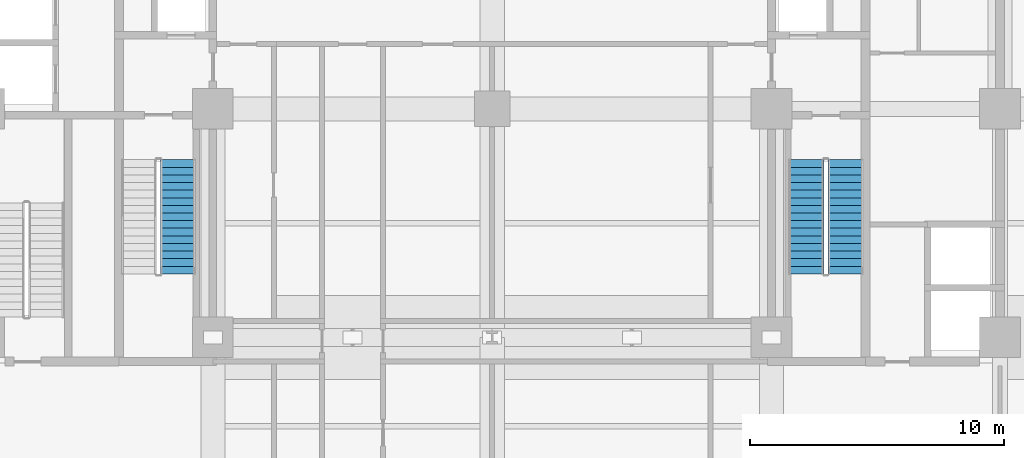
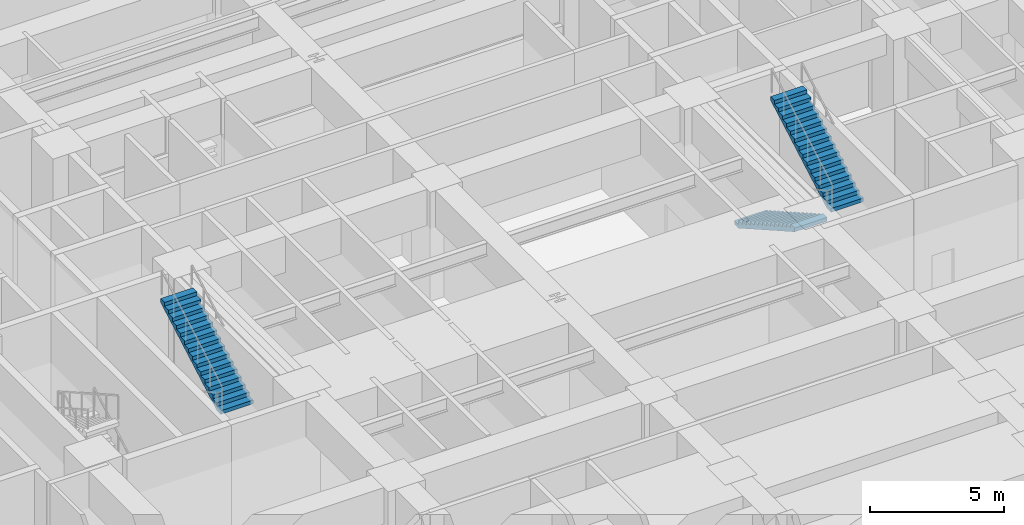
# One storey, part 15 of 22: 3 stair flights, 2 elements without a shape of their own.
"""IFC4 building model written with IfcOpenShell, lengths in metres."""

from ifc_helpers import new_model, si_unit, direction, frame, origin, place, context, subcontext, project, spatial, polyline, outline, extrude, material, layer, layer_set, type_object, element, aggregate, save


model = new_model("IFC4")

# Units and contexts
model_context = context("Model", 3, precision=1e-05, world=origin(), true_north=direction((0.0, 1.0)))
body_context = subcontext(model_context, "Body", "Model", "MODEL_VIEW")
ifc_project = project(units=[si_unit("LENGTHUNIT", "METRE"), si_unit("AREAUNIT", "SQUARE_METRE"), si_unit("VOLUMEUNIT", "CUBIC_METRE"), si_unit("PLANEANGLEUNIT", "RADIAN"), si_unit("MASSUNIT", "GRAM", prefix="KILO")], contexts=[model_context])

# Site, building, storey
site_placement = place(None, origin())
site = spatial("IfcSite", under=ifc_project, at=site_placement, CompositionType="ELEMENT")
building_placement = place(site_placement, origin())
building = spatial("IfcBuilding", under=site, at=building_placement, Name="Zulmaris Gate Convention Tower", CompositionType="ELEMENT")
storey_placement = place(building_placement, frame((0.0, 0.0, 21.760009765625)))
storey = spatial("IfcBuildingStorey", under=building, at=storey_placement, Name="L04", CompositionType="ELEMENT", Elevation=21.760009765625)

# Stair, stair flight
ifc_material = material(Name="Concrete C45/55", Category="concrete")
stair_type = type_object("IfcStairType", Name="ST-CORE-DOGLEG", PredefinedType="HALF_TURN_STAIR", material=ifc_material)
stair_1_placement = place(storey_placement, origin())
stair_1 = element("IfcStair", 1, at=stair_1_placement, inside=storey, type_object=stair_type, Name="L04 Core Exit Stair ST-1", PredefinedType="HALF_TURN_STAIR")
ifc_layer = layer(ifc_material, 0.14990234375, Name="Concrete C45/55")
ifc_layer_set = layer_set([ifc_layer], Name="Concrete C45/55")
stair_flight_type = type_object("IfcStairFlightType", Name="STF-RC150", PredefinedType="STRAIGHT", material=ifc_layer_set)
stair_flight_1_placement = place(storey_placement, frame((-12.360107421875, -6.5, 2.719970703125), z_axis=(0.0, 0.0, 1.0), x_axis=(0.0, 1.0, 0.0)))
stair_flight_1 = element("IfcStairFlight", 2, at=stair_flight_1_placement, type_object=stair_flight_type, Name="ST-1 flight 2", NumberOfRisers=16, NumberOfTreads=15, PredefinedType="STRAIGHT", RiserHeight=0.17, TreadLength=0.3, context=body_context, shape_type="SweptSolid", body=[
    extrude(outline(polyline([(0.0, 0.0), (0.0, 0.169921875), (0.300048828125, 0.169921875), (0.300048828125, 0.340087890625), (0.60009765625, 0.340087890625), (0.60009765625, 0.510009765625), (0.89990234375, 0.510009765625), (0.89990234375, 0.679931640625), (1.199951171875, 0.679931640625), (1.199951171875, 0.85009765625), (1.5, 0.85009765625), (1.5, 1.02001953125), (1.800048828125, 1.02001953125), (1.800048828125, 1.18994140625), (2.10009765625, 1.18994140625), (2.10009765625, 1.360107421875), (2.39990234375, 1.360107421875), (2.39990234375, 1.530029296875), (2.699951171875, 1.530029296875), (2.699951171875, 1.699951171875), (3.0, 1.699951171875), (3.0, 1.8701171875), (3.300048828125, 1.8701171875), (3.300048828125, 2.0400390625), (3.60009765625, 2.0400390625), (3.60009765625, 2.2099609375), (3.89990234375, 2.2099609375), (3.89990234375, 2.3798828125), (4.199951171875, 2.3798828125), (4.199951171875, 2.550048828125), (4.5, 2.550048828125), (4.5, 2.719970703125), (4.5, 2.377685546875), (0.303955078125, 0.0), (0.0, 0.0)])), frame((0.0, 0.699951171875, 0.0), z_axis=(0.0, -1.0, 0.0), x_axis=(1.0, 0.0, 0.0)), (0.0, 0.0, 1.0), 1.39990234375),
])
aggregate(stair_1, [stair_flight_1])

# Stair, stair flights
stair_2_placement = place(storey_placement, origin())
stair_2 = element("IfcStair", 3, at=stair_2_placement, inside=storey, type_object=stair_type, Name="L04 Core Exit Stair ST-2", PredefinedType="HALF_TURN_STAIR")
stair_flight_2_placement = place(storey_placement, frame((12.360107421875, -2.0, 0.0), z_axis=(0.0, 0.0, 1.0), x_axis=(0.0, -1.0, 0.0)))
stair_flight_2 = element("IfcStairFlight", 4, at=stair_flight_2_placement, type_object=stair_flight_type, Name="ST-2 flight 1", NumberOfRisers=16, NumberOfTreads=15, PredefinedType="STRAIGHT", RiserHeight=0.17, TreadLength=0.3, context=body_context, shape_type="SweptSolid", body=[
    extrude(outline(polyline([(0.0, 0.0), (0.0, 0.169921875), (0.300048828125, 0.169921875), (0.300048828125, 0.340087890625), (0.60009765625, 0.340087890625), (0.60009765625, 0.510009765625), (0.89990234375, 0.510009765625), (0.89990234375, 0.679931640625), (1.199951171875, 0.679931640625), (1.199951171875, 0.85009765625), (1.5, 0.85009765625), (1.5, 1.02001953125), (1.800048828125, 1.02001953125), (1.800048828125, 1.18994140625), (2.10009765625, 1.18994140625), (2.10009765625, 1.360107421875), (2.39990234375, 1.360107421875), (2.39990234375, 1.530029296875), (2.699951171875, 1.530029296875), (2.699951171875, 1.699951171875), (3.0, 1.699951171875), (3.0, 1.8701171875), (3.300048828125, 1.8701171875), (3.300048828125, 2.0400390625), (3.60009765625, 2.0400390625), (3.60009765625, 2.2099609375), (3.89990234375, 2.2099609375), (3.89990234375, 2.3798828125), (4.199951171875, 2.3798828125), (4.199951171875, 2.550048828125), (4.5, 2.550048828125), (4.5, 2.719970703125), (4.5, 2.377685546875), (0.303955078125, 0.0), (0.0, 0.0)])), frame((0.0, 0.699951171875, 0.0), z_axis=(0.0, -1.0, 0.0), x_axis=(1.0, 0.0, 0.0)), (0.0, 0.0, 1.0), 1.39990234375),
])
stair_flight_3_placement = place(storey_placement, frame((13.919921875, -6.5, 2.719970703125), z_axis=(0.0, 0.0, 1.0), x_axis=(0.0, 1.0, 0.0)))
stair_flight_3 = element("IfcStairFlight", 5, at=stair_flight_3_placement, type_object=stair_flight_type, Name="ST-2 flight 2", NumberOfRisers=16, NumberOfTreads=15, PredefinedType="STRAIGHT", RiserHeight=0.17, TreadLength=0.3, context=body_context, shape_type="SweptSolid", body=[
    extrude(outline(polyline([(0.0, 0.0), (0.0, 0.169921875), (0.300048828125, 0.169921875), (0.300048828125, 0.340087890625), (0.60009765625, 0.340087890625), (0.60009765625, 0.510009765625), (0.89990234375, 0.510009765625), (0.89990234375, 0.679931640625), (1.199951171875, 0.679931640625), (1.199951171875, 0.85009765625), (1.5, 0.85009765625), (1.5, 1.02001953125), (1.800048828125, 1.02001953125), (1.800048828125, 1.18994140625), (2.10009765625, 1.18994140625), (2.10009765625, 1.360107421875), (2.39990234375, 1.360107421875), (2.39990234375, 1.530029296875), (2.699951171875, 1.530029296875), (2.699951171875, 1.699951171875), (3.0, 1.699951171875), (3.0, 1.8701171875), (3.300048828125, 1.8701171875), (3.300048828125, 2.0400390625), (3.60009765625, 2.0400390625), (3.60009765625, 2.2099609375), (3.89990234375, 2.2099609375), (3.89990234375, 2.3798828125), (4.199951171875, 2.3798828125), (4.199951171875, 2.550048828125), (4.5, 2.550048828125), (4.5, 2.719970703125), (4.5, 2.377685546875), (0.303955078125, 0.0), (0.0, 0.0)])), frame((0.0, 0.699951171875, 0.0), z_axis=(0.0, -1.0, 0.0), x_axis=(1.0, 0.0, 0.0)), (0.0, 0.0, 1.0), 1.39990234375),
])
aggregate(stair_2, [stair_flight_2, stair_flight_3])

save(model, "model.ifc")
